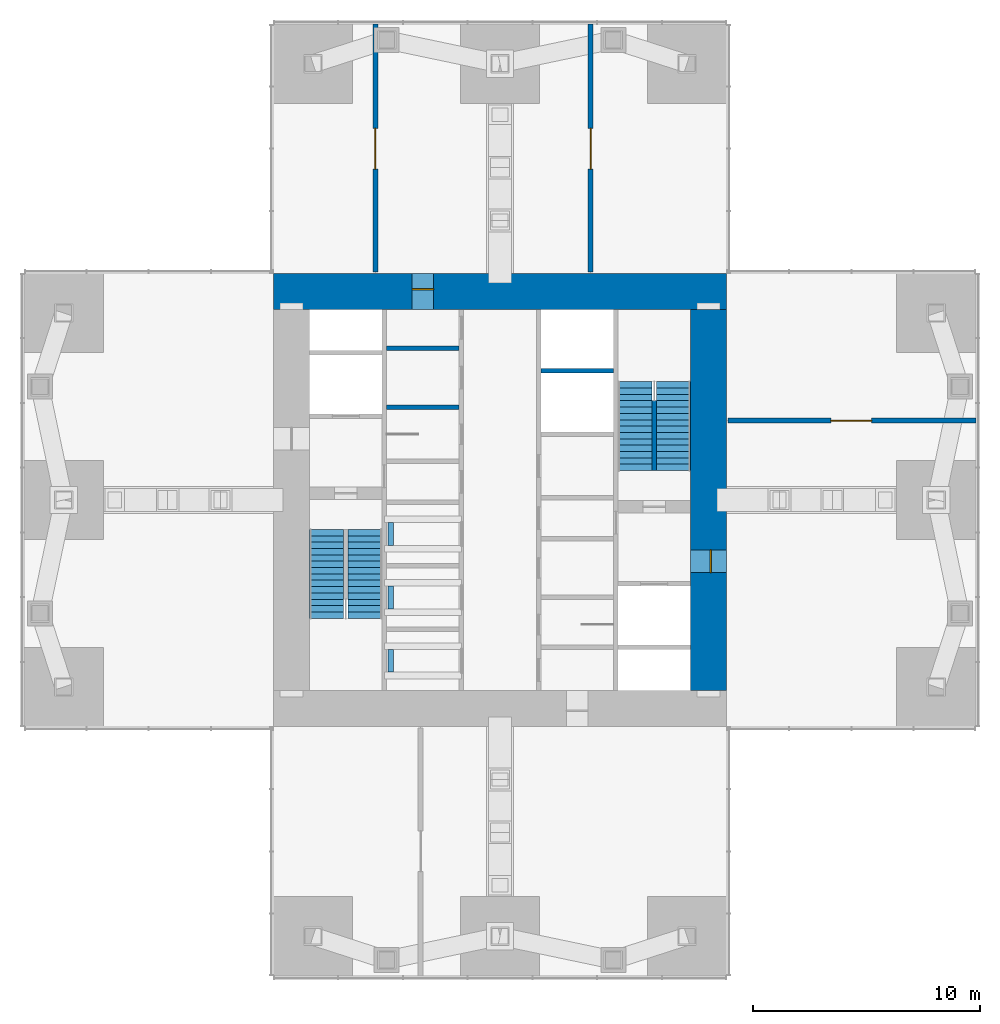
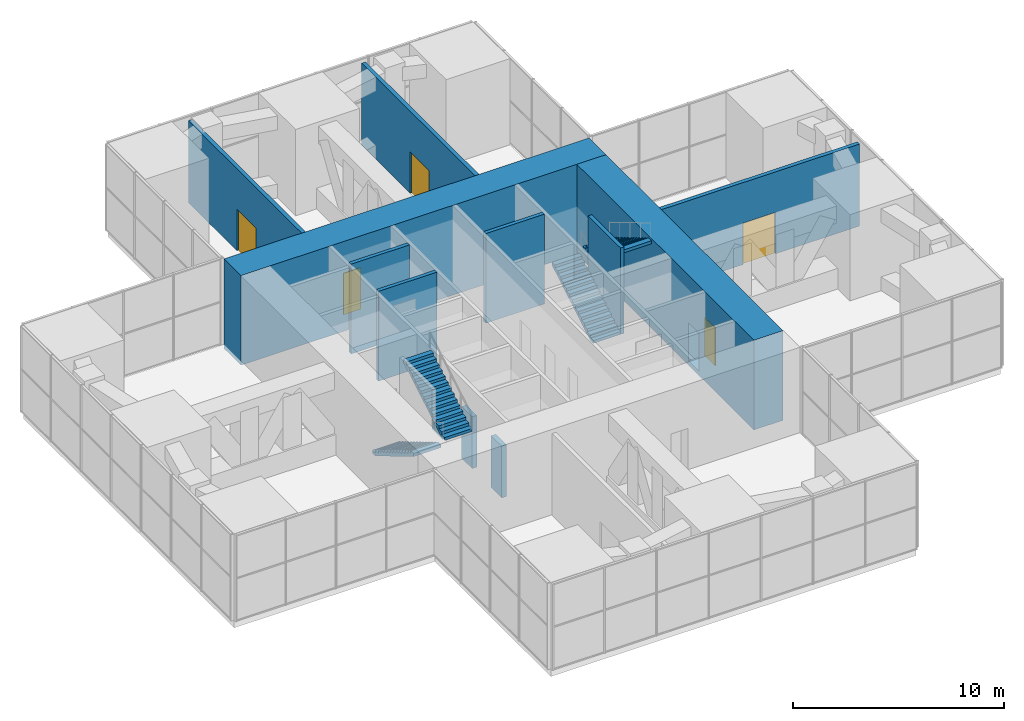
# One storey, part 11 of 12: 9 walls, 5 doors, 4 stair flights, 3 discrete accessories, 5 openings, 2 elements without a shape of their own.
"""IFC4 building model written with IfcOpenShell, lengths in metres."""

from ifc_helpers import new_model, si_unit, direction, frame, frame_2d, origin, origin_2d, place, context, subcontext, project, spatial, polyline, rectangle, outline, extrude, material, layer, layer_set, type_object, element, fill, aggregate, save


model = new_model("IFC4")

# Units and contexts
model_context = context("Model", 3, precision=1e-05, world=origin(), true_north=direction((0.0, 1.0)))
body_context = subcontext(model_context, "Body", "Model", "MODEL_VIEW")
ifc_project = project(units=[si_unit("LENGTHUNIT", "METRE"), si_unit("AREAUNIT", "SQUARE_METRE"), si_unit("VOLUMEUNIT", "CUBIC_METRE"), si_unit("PLANEANGLEUNIT", "RADIAN"), si_unit("MASSUNIT", "GRAM", prefix="KILO")], contexts=[model_context])

# Site, building, storey
site_placement = place(None, origin())
site = spatial("IfcSite", under=ifc_project, at=site_placement, CompositionType="ELEMENT")
building_placement = place(site_placement, origin())
building = spatial("IfcBuilding", under=site, at=building_placement, Name="Svetlomir Tower", CompositionType="ELEMENT")
storey_placement = place(building_placement, frame((0.0, 0.0, 160.5)))
storey = spatial("IfcBuildingStorey", under=building, at=storey_placement, Name="L38", CompositionType="ELEMENT", Elevation=160.5)

# Wall, opening, door
ifc_material_1 = material(Name="Dense concrete blockwork", Category="masonry")
ifc_layer_1 = layer(ifc_material_1, 0.215087890625)
ifc_layer_set_1 = layer_set([ifc_layer_1], Name="Dense concrete blockwork")
wall_type_1 = type_object("IfcWallType", Name="BLOCKWORK WALL 215", PredefinedType="PARTITIONING", material=ifc_layer_set_1)
wall_1_placement = place(storey_placement, frame((15.5, 31.050048828125, 0.0), z_axis=(0.0, 0.0, 1.0), x_axis=(0.0, 1.0, 0.0)))
wall_1 = element("IfcWall", 1, at=wall_1_placement, inside=storey, type_object=wall_type_1, Name="Partition L38", PredefinedType="PARTITIONING", context=body_context, shape_type="SweptSolid", body=[
    extrude(rectangle(XDim=10.949951171875, YDim=0.215087890625, at=frame_2d((5.47509765625, 0.0))), origin(), (0.0, 0.0, 1.0), 4.75),
])
opening_1_placement = place(wall_1_placement, frame((4.550048828125, 0.0, 0.0)))
opening_1 = element("IfcOpeningElement", 2, at=opening_1_placement, cuts=wall_1, Name="Opening DP", PredefinedType="OPENING", context=body_context, shape_type="SweptSolid", body=[
    extrude(rectangle(XDim=1.800048828125, YDim=2.39990234375, at=frame_2d((0.89990234375, 1.199951171875))), frame((0.0, 0.11767578125, 0.0), z_axis=(0.0, -1.0, 0.0), x_axis=(1.0, 0.0, 0.0)), (0.0, 0.0, 1.0), 0.235107421875),
])
ifc_material_2 = material(Name="Steel fire door", Category="steel")
door_type_1 = type_object("IfcDoorType", Name="PLANT ROOM DOOR DP 1800x2400", OperationType="DOUBLE_DOOR_SINGLE_SWING", PredefinedType="DOOR", material=ifc_material_2)
door_1_placement = place(opening_1_placement, origin())
door_1 = element("IfcDoor", 3, at=door_1_placement, inside=storey, type_object=door_type_1, Name="Plant room - water tanks door L38", OperationType="DOUBLE_DOOR_SINGLE_SWING", OverallHeight=2.39990234375, OverallWidth=1.800048828125, PredefinedType="DOOR", context=body_context, shape_type="SweptSolid", body=[
    extrude(rectangle(XDim=1.800048828125, YDim=2.39990234375, at=frame_2d((0.89990234375, 1.199951171875))), frame((0.0, 0.02490234375, 0.0), z_axis=(0.0, -1.0, 0.0), x_axis=(1.0, 0.0, 0.0)), (0.0, 0.0, 1.0), 0.050048828125),
])
fill(opening_1, door_1)

wall_2_placement = place(storey_placement, frame((25.0, 31.050048828125, 0.0), z_axis=(0.0, 0.0, 1.0), x_axis=(0.0, 1.0, 0.0)))
wall_2 = element("IfcWall", 4, at=wall_2_placement, inside=storey, type_object=wall_type_1, Name="Partition L38", PredefinedType="PARTITIONING", context=body_context, shape_type="SweptSolid", body=[
    extrude(rectangle(XDim=10.949951171875, YDim=0.215087890625, at=frame_2d((5.47509765625, 0.0))), origin(), (0.0, 0.0, 1.0), 4.75),
])
opening_2_placement = place(wall_2_placement, frame((4.550048828125, 0.0, 0.0)))
opening_2 = element("IfcOpeningElement", 5, at=opening_2_placement, cuts=wall_2, Name="Opening DP", PredefinedType="OPENING", context=body_context, shape_type="SweptSolid", body=[
    extrude(rectangle(XDim=1.800048828125, YDim=2.39990234375, at=frame_2d((0.89990234375, 1.199951171875))), frame((0.0, 0.11767578125, 0.0), z_axis=(0.0, -1.0, 0.0), x_axis=(1.0, 0.0, 0.0)), (0.0, 0.0, 1.0), 0.235107421875),
])
door_2_placement = place(opening_2_placement, origin())
door_2 = element("IfcDoor", 6, at=door_2_placement, inside=storey, type_object=door_type_1, Name="Plant room - sprinkler valves door L38", OperationType="DOUBLE_DOOR_SINGLE_SWING", OverallHeight=2.39990234375, OverallWidth=1.800048828125, PredefinedType="DOOR", context=body_context, shape_type="SweptSolid", body=[
    extrude(rectangle(XDim=1.800048828125, YDim=2.39990234375, at=frame_2d((0.89990234375, 1.199951171875))), frame((0.0, 0.02490234375, 0.0), z_axis=(0.0, -1.0, 0.0), x_axis=(1.0, 0.0, 0.0)), (0.0, 0.0, 1.0), 0.050048828125),
])
fill(opening_2, door_2)

wall_3_placement = place(storey_placement, frame((31.050048828125, 24.5, 0.0), z_axis=(0.0, 0.0, 1.0), x_axis=(1.0, 0.0, 0.0)))
wall_3 = element("IfcWall", 7, at=wall_3_placement, inside=storey, type_object=wall_type_1, Name="Partition L38", PredefinedType="PARTITIONING", context=body_context, shape_type="SweptSolid", body=[
    extrude(rectangle(XDim=10.949951171875, YDim=0.215087890625, at=frame_2d((5.47509765625, 0.0))), origin(), (0.0, 0.0, 1.0), 4.75),
])
opening_3_placement = place(wall_3_placement, frame((4.550048828125, 0.0, 0.0)))
opening_3 = element("IfcOpeningElement", 8, at=opening_3_placement, cuts=wall_3, Name="Opening DP", PredefinedType="OPENING", context=body_context, shape_type="SweptSolid", body=[
    extrude(rectangle(XDim=1.800048828125, YDim=2.39990234375, at=frame_2d((0.89990234375, 1.199951171875))), frame((0.0, 0.11767578125, 0.0), z_axis=(0.0, -1.0, 0.0), x_axis=(1.0, 0.0, 0.0)), (0.0, 0.0, 1.0), 0.235107421875),
])
door_3_placement = place(opening_3_placement, origin())
door_3 = element("IfcDoor", 9, at=door_3_placement, inside=storey, type_object=door_type_1, Name="Plant room - standby generator door L38", OperationType="DOUBLE_DOOR_SINGLE_SWING", OverallHeight=2.39990234375, OverallWidth=1.800048828125, PredefinedType="DOOR", context=body_context, shape_type="SweptSolid", body=[
    extrude(rectangle(XDim=1.800048828125, YDim=2.39990234375, at=frame_2d((0.89990234375, 1.199951171875))), frame((0.0, 0.02490234375, 0.0), z_axis=(0.0, -1.0, 0.0), x_axis=(1.0, 0.0, 0.0)), (0.0, 0.0, 1.0), 0.050048828125),
])
fill(opening_3, door_3)

# Walls
ifc_material_3 = material(Name="Concrete C60/75", Category="concrete")
ifc_layer_2 = layer(ifc_material_3, 0.199951171875)
ifc_layer_set_2 = layer_set([ifc_layer_2], Name="Concrete C60/75")
wall_type_2 = type_object("IfcWallType", Name="CORE INNER WALL 200", PredefinedType="SHEAR", material=ifc_layer_set_2)
for number, where, z_axis, x_axis, name in (
    (10, (16.0, 25.10009765625, -0.25), (0.0, 0.0, 1.0), (1.0, 0.0, 0.0), "Core inner wall 16-19.2/25.1 L38"),
    (11, (16.0, 27.699951171875, -0.25), (0.0, 0.0, 1.0), (1.0, 0.0, 0.0), "Core inner wall 16-19.2/27.7 L38"),
    (12, (22.800048828125, 26.699951171875, -0.25), (0.0, 0.0, 1.0), (1.0, 0.0, 0.0), "Core inner wall 22.8-26/26.7 L38"),
):
    element("IfcWall", number, at=place(storey_placement, frame(where, z_axis=z_axis, x_axis=x_axis)), inside=storey, type_object=wall_type_2, Name=name, PredefinedType="SHEAR", context=body_context, shape_type="SweptSolid", body=[
        extrude(rectangle(XDim=3.199951171875, YDim=0.199951171875, at=frame_2d((1.60009765625, 0.0))), origin(), (0.0, 0.0, 1.0), 5.199951171875),
    ])

# Wall, opening, door
ifc_material_4 = material(Name="Concrete C60/75", Category="concrete")
ifc_layer_3 = layer(ifc_material_4, 1.60009765625)
ifc_layer_set_3 = layer_set([ifc_layer_3], Name="Concrete C60/75")
wall_type_3 = type_object("IfcWallType", Name="CORE WALL 1600", PredefinedType="SHEAR", material=ifc_layer_set_3)
wall_4_placement = place(storey_placement, frame((11.0, 30.199951171875, -0.25), z_axis=(0.0, 0.0, 1.0), x_axis=(1.0, 0.0, 0.0)))
wall_4 = element("IfcWall", 13, at=wall_4_placement, inside=storey, type_object=wall_type_3, Name="Core wall north L38", PredefinedType="SHEAR", context=body_context, shape_type="SweptSolid", body=[
    extrude(rectangle(XDim=20.0, YDim=1.60009765625, at=frame_2d((10.0, 0.0))), origin(), (0.0, 0.0, 1.0), 5.199951171875),
])
opening_4_placement = place(wall_4_placement, frame((6.125, 0.0, 0.25)))
opening_4 = element("IfcOpeningElement", 14, at=opening_4_placement, cuts=wall_4, Name="Opening DP2", PredefinedType="OPENING", context=body_context, shape_type="SweptSolid", body=[
    extrude(rectangle(XDim=0.949951171875, YDim=2.39990234375, at=frame_2d((0.47509765625, 1.199951171875))), frame((0.0, 0.81005859375, 0.0), z_axis=(0.0, -1.0, 0.0), x_axis=(1.0, 0.0, 0.0)), (0.0, 0.0, 1.0), 1.6201171875),
])
ifc_material_5 = material(Name="Steel fire door", Category="steel")
door_type_2 = type_object("IfcDoorType", Name="PLANT ROOM DOOR DP2 950x2400", OperationType="SINGLE_SWING_LEFT", PredefinedType="DOOR", material=ifc_material_5)
door_4_placement = place(opening_4_placement, origin())
door_4 = element("IfcDoor", 15, at=door_4_placement, inside=storey, type_object=door_type_2, Name="Core north corridor plant door L38", OperationType="SINGLE_SWING_LEFT", OverallHeight=2.39990234375, OverallWidth=0.949951171875, PredefinedType="DOOR", context=body_context, shape_type="SweptSolid", body=[
    extrude(rectangle(XDim=0.949951171875, YDim=2.39990234375, at=frame_2d((0.47509765625, 1.199951171875))), frame((0.0, 0.125, 0.0), z_axis=(0.0, -1.0, 0.0), x_axis=(1.0, 0.0, 0.0)), (0.0, 0.0, 1.0), 0.050048828125),
])
fill(opening_4, door_4)

wall_5_placement = place(storey_placement, frame((30.199951171875, 12.60009765625, -0.25), z_axis=(0.0, 0.0, 1.0), x_axis=(0.0, 1.0, 0.0)))
wall_5 = element("IfcWall", 16, at=wall_5_placement, inside=storey, type_object=wall_type_3, Name="Core wall east L38", PredefinedType="SHEAR", context=body_context, shape_type="SweptSolid", body=[
    extrude(rectangle(XDim=16.7998046875, YDim=1.60009765625, at=frame_2d((8.39990234375, 0.0))), origin(), (0.0, 0.0, 1.0), 5.199951171875),
])
opening_5_placement = place(wall_5_placement, frame((5.199951171875, 0.0, 0.25)))
opening_5 = element("IfcOpeningElement", 17, at=opening_5_placement, cuts=wall_5, Name="Opening DF", PredefinedType="OPENING", context=body_context, shape_type="SweptSolid", body=[
    extrude(rectangle(XDim=1.0, YDim=2.199951171875, at=frame_2d((0.5, 1.10009765625))), frame((0.0, 0.81005859375, 0.0), z_axis=(0.0, -1.0, 0.0), x_axis=(1.0, 0.0, 0.0)), (0.0, 0.0, 1.0), 1.6201171875),
])
ifc_material_6 = material(Name="Steel fire door", Category="steel")
door_type_3 = type_object("IfcDoorType", Name="DOOR DF 1000x2200", OperationType="SINGLE_SWING_LEFT", PredefinedType="DOOR", material=ifc_material_6)
door_5_placement = place(opening_5_placement, origin())
door_5 = element("IfcDoor", 18, at=door_5_placement, inside=storey, type_object=door_type_3, Name="Firefighting lobby east door L38", OperationType="SINGLE_SWING_LEFT", OverallHeight=2.199951171875, OverallWidth=1.0, PredefinedType="DOOR", context=body_context, shape_type="SweptSolid", body=[
    extrude(rectangle(XDim=1.0, YDim=2.199951171875, at=frame_2d((0.5, 1.10009765625))), frame((0.0, -0.0751953125, 0.0), z_axis=(0.0, -1.0, 0.0), x_axis=(1.0, 0.0, 0.0)), (0.0, 0.0, 1.0), 0.050048828125),
])
fill(opening_5, door_5)

# Wall
ifc_material_7 = material(Name="Concrete C60/75", Category="concrete")
ifc_layer_4 = layer(ifc_material_7, 0.199951171875)
ifc_layer_set_4 = layer_set([ifc_layer_4], Name="Concrete C60/75")
wall_type_4 = type_object("IfcWallType", Name="STAIR SPINE WALL 200", PredefinedType="PARTITIONING", material=ifc_layer_set_4)
wall_6_placement = place(storey_placement, frame((27.800048828125, 22.300048828125, 0.0), z_axis=(0.0, 0.0, 1.0), x_axis=(0.0, 1.0, 0.0)))
element("IfcWall", 19, at=wall_6_placement, inside=storey, type_object=wall_type_4, Name="Stair S2 spine wall L38", PredefinedType="PARTITIONING", context=body_context, shape_type="SweptSolid", body=[
    extrude(rectangle(XDim=3.079833984375, YDim=0.199951171875, at=frame_2d((1.5400390625, 0.0))), origin(), (0.0, 0.0, 1.0), 5.0),
])

# Stair, stair flights
ifc_material_8 = material(Name="Concrete C60/75", Category="concrete")
stair_type = type_object("IfcStairType", Name="EXIT STAIR 3200 RISE 5000", PredefinedType="HALF_TURN_STAIR", material=ifc_material_8)
stair_1_placement = place(storey_placement, origin())
stair_1 = element("IfcStair", 20, at=stair_1_placement, inside=storey, type_object=stair_type, Name="Stair S1 L38 to L39", PredefinedType="HALF_TURN_STAIR")
ifc_material_9 = material(Name="Concrete C60/75", Category="concrete")
stair_flight_type = type_object("IfcStairFlightType", Name="STAIR FLIGHT 1500 OF 15 RISERS", PredefinedType="STRAIGHT", material=ifc_material_9)
stair_flight_1_placement = place(storey_placement, frame((13.35009765625, 19.699951171875, 0.0), z_axis=(0.0, 0.0, 1.0), x_axis=(0.0, -1.0, 0.0)))
stair_flight_1 = element("IfcStairFlight", 21, at=stair_flight_1_placement, type_object=stair_flight_type, Name="S1 flight 1", NumberOfRisers=15, NumberOfTreads=14, PredefinedType="STRAIGHT", RiserHeight=0.166666667, TreadLength=0.28, context=body_context, shape_type="SweptSolid", body=[
    extrude(outline(polyline([(0.0, 0.0), (0.0, 0.166748046875), (0.280029296875, 0.166748046875), (0.280029296875, 0.333251953125), (0.56005859375, 0.333251953125), (0.56005859375, 0.5), (0.840087890625, 0.5), (0.840087890625, 0.666748046875), (1.1201171875, 0.666748046875), (1.1201171875, 0.833251953125), (1.39990234375, 0.833251953125), (1.39990234375, 1.0), (1.679931640625, 1.0), (1.679931640625, 1.166748046875), (1.9599609375, 1.166748046875), (1.9599609375, 1.333251953125), (2.239990234375, 1.333251953125), (2.239990234375, 1.5), (2.52001953125, 1.5), (2.52001953125, 1.666748046875), (2.800048828125, 1.666748046875), (2.800048828125, 1.833251953125), (3.080078125, 1.833251953125), (3.080078125, 2.0), (3.360107421875, 2.0), (3.360107421875, 2.166748046875), (3.639892578125, 2.166748046875), (3.639892578125, 2.333251953125), (3.919921875, 2.333251953125), (3.919921875, 2.5), (3.919921875, 2.158935546875), (0.29296875, 0.0), (0.0, 0.0)])), frame((0.0, 0.75, 0.0), z_axis=(0.0, -1.0, 0.0), x_axis=(1.0, 0.0, 0.0)), (0.0, 0.0, 1.0), 1.5),
])
stair_flight_2_placement = place(storey_placement, frame((15.050048828125, 15.780029296875, 2.5), z_axis=(0.0, 0.0, 1.0), x_axis=(0.0, 1.0, 0.0)))
stair_flight_2 = element("IfcStairFlight", 22, at=stair_flight_2_placement, type_object=stair_flight_type, Name="S1 flight 2", NumberOfRisers=15, NumberOfTreads=14, PredefinedType="STRAIGHT", RiserHeight=0.166666667, TreadLength=0.28, context=body_context, shape_type="SweptSolid", body=[
    extrude(outline(polyline([(0.0, 0.0), (0.0, 0.166748046875), (0.280029296875, 0.166748046875), (0.280029296875, 0.333251953125), (0.56005859375, 0.333251953125), (0.56005859375, 0.5), (0.840087890625, 0.5), (0.840087890625, 0.666748046875), (1.1201171875, 0.666748046875), (1.1201171875, 0.833251953125), (1.39990234375, 0.833251953125), (1.39990234375, 1.0), (1.679931640625, 1.0), (1.679931640625, 1.166748046875), (1.9599609375, 1.166748046875), (1.9599609375, 1.333251953125), (2.239990234375, 1.333251953125), (2.239990234375, 1.5), (2.52001953125, 1.5), (2.52001953125, 1.666748046875), (2.800048828125, 1.666748046875), (2.800048828125, 1.833251953125), (3.080078125, 1.833251953125), (3.080078125, 2.0), (3.360107421875, 2.0), (3.360107421875, 2.166748046875), (3.639892578125, 2.166748046875), (3.639892578125, 2.333251953125), (3.919921875, 2.333251953125), (3.919921875, 2.5), (3.919921875, 2.158935546875), (0.29296875, 0.0), (0.0, 0.0)])), frame((0.0, 0.75, 0.0), z_axis=(0.0, -1.0, 0.0), x_axis=(1.0, 0.0, 0.0)), (0.0, 0.0, 1.0), 1.5),
])
aggregate(stair_1, [stair_flight_1, stair_flight_2])

stair_2_placement = place(storey_placement, origin())
stair_2 = element("IfcStair", 23, at=stair_2_placement, inside=storey, type_object=stair_type, Name="Stair S2 L38 to L39", PredefinedType="HALF_TURN_STAIR")
stair_flight_3_placement = place(storey_placement, frame((26.949951171875, 22.300048828125, 0.0), z_axis=(0.0, 0.0, 1.0), x_axis=(0.0, 1.0, 0.0)))
stair_flight_3 = element("IfcStairFlight", 24, at=stair_flight_3_placement, type_object=stair_flight_type, Name="S2 flight 1", NumberOfRisers=15, NumberOfTreads=14, PredefinedType="STRAIGHT", RiserHeight=0.166666667, TreadLength=0.28, context=body_context, shape_type="SweptSolid", body=[
    extrude(outline(polyline([(0.0, 0.0), (0.0, 0.166748046875), (0.280029296875, 0.166748046875), (0.280029296875, 0.333251953125), (0.56005859375, 0.333251953125), (0.56005859375, 0.5), (0.840087890625, 0.5), (0.840087890625, 0.666748046875), (1.1201171875, 0.666748046875), (1.1201171875, 0.833251953125), (1.39990234375, 0.833251953125), (1.39990234375, 1.0), (1.679931640625, 1.0), (1.679931640625, 1.166748046875), (1.9599609375, 1.166748046875), (1.9599609375, 1.333251953125), (2.239990234375, 1.333251953125), (2.239990234375, 1.5), (2.52001953125, 1.5), (2.52001953125, 1.666748046875), (2.800048828125, 1.666748046875), (2.800048828125, 1.833251953125), (3.080078125, 1.833251953125), (3.080078125, 2.0), (3.360107421875, 2.0), (3.360107421875, 2.166748046875), (3.639892578125, 2.166748046875), (3.639892578125, 2.333251953125), (3.919921875, 2.333251953125), (3.919921875, 2.5), (3.919921875, 2.158935546875), (0.29296875, 0.0), (0.0, 0.0)])), frame((0.0, 0.75, 0.0), z_axis=(0.0, -1.0, 0.0), x_axis=(1.0, 0.0, 0.0)), (0.0, 0.0, 1.0), 1.5),
])
stair_flight_4_placement = place(storey_placement, frame((28.64990234375, 26.219970703125, 2.5), z_axis=(0.0, 0.0, 1.0), x_axis=(0.0, -1.0, 0.0)))
stair_flight_4 = element("IfcStairFlight", 25, at=stair_flight_4_placement, type_object=stair_flight_type, Name="S2 flight 2", NumberOfRisers=15, NumberOfTreads=14, PredefinedType="STRAIGHT", RiserHeight=0.166666667, TreadLength=0.28, context=body_context, shape_type="SweptSolid", body=[
    extrude(outline(polyline([(0.0, 0.0), (0.0, 0.166748046875), (0.280029296875, 0.166748046875), (0.280029296875, 0.333251953125), (0.56005859375, 0.333251953125), (0.56005859375, 0.5), (0.840087890625, 0.5), (0.840087890625, 0.666748046875), (1.1201171875, 0.666748046875), (1.1201171875, 0.833251953125), (1.39990234375, 0.833251953125), (1.39990234375, 1.0), (1.679931640625, 1.0), (1.679931640625, 1.166748046875), (1.9599609375, 1.166748046875), (1.9599609375, 1.333251953125), (2.239990234375, 1.333251953125), (2.239990234375, 1.5), (2.52001953125, 1.5), (2.52001953125, 1.666748046875), (2.800048828125, 1.666748046875), (2.800048828125, 1.833251953125), (3.080078125, 1.833251953125), (3.080078125, 2.0), (3.360107421875, 2.0), (3.360107421875, 2.166748046875), (3.639892578125, 2.166748046875), (3.639892578125, 2.333251953125), (3.919921875, 2.333251953125), (3.919921875, 2.5), (3.919921875, 2.158935546875), (0.29296875, 0.0), (0.0, 0.0)])), frame((0.0, 0.75, 0.0), z_axis=(0.0, -1.0, 0.0), x_axis=(1.0, 0.0, 0.0)), (0.0, 0.0, 1.0), 1.5),
])
aggregate(stair_2, [stair_flight_3, stair_flight_4])

# Discrete accessories
for number, where, z_axis, x_axis, name in (
    (26, (16.175048828125, 13.89990234375, 0.0), (0.0, 0.0, 1.0), (1.0, 0.0, 0.0), "Lift LB1 counterweight"),
    (27, (16.175048828125, 16.699951171875, 0.0), (0.0, 0.0, 1.0), (1.0, 0.0, 0.0), "Lift LB2 counterweight"),
    (28, (16.175048828125, 19.5, 0.0), (0.0, 0.0, 1.0), (1.0, 0.0, 0.0), "Lift LB3 counterweight"),
):
    element("IfcDiscreteAccessory", number, at=place(storey_placement, frame(where, z_axis=z_axis, x_axis=x_axis)), inside=storey, Name=name, ObjectType="LIFT COUNTERWEIGHT", PredefinedType="USERDEFINED", context=body_context, shape_type="SweptSolid", body=[
        extrude(rectangle(XDim=0.25, YDim=1.0, at=origin_2d()), origin(), (0.0, 0.0, 1.0), 3.0),
    ])

save(model, "model.ifc")
